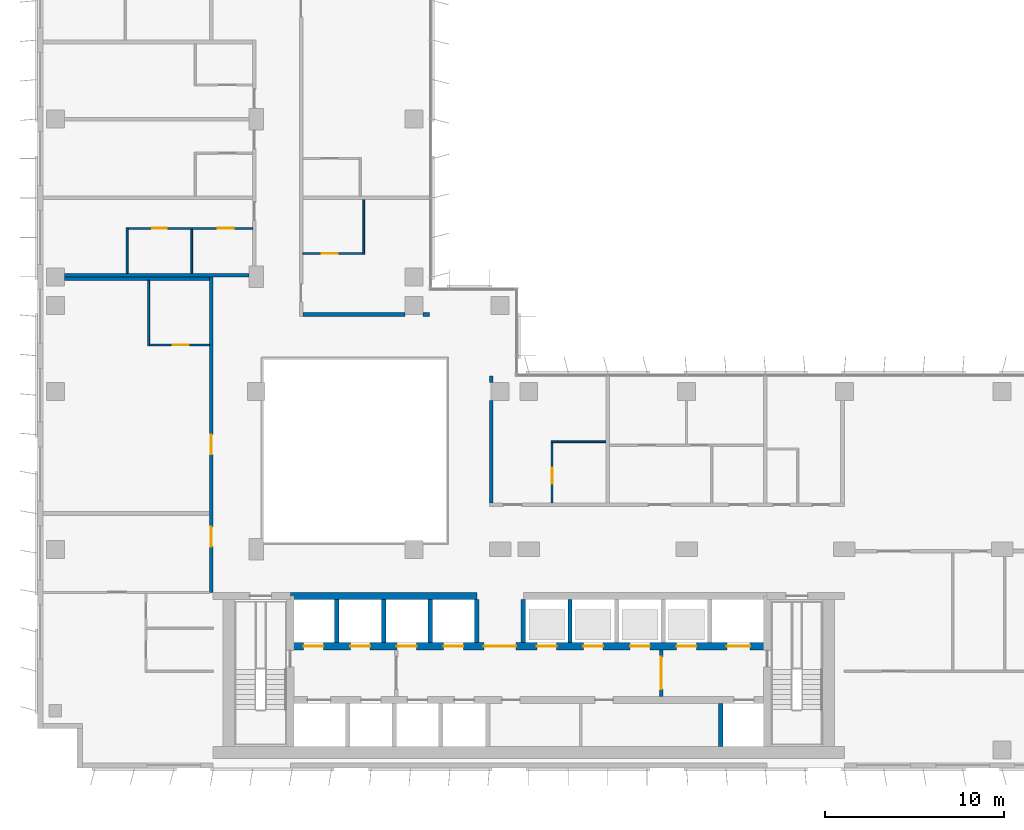
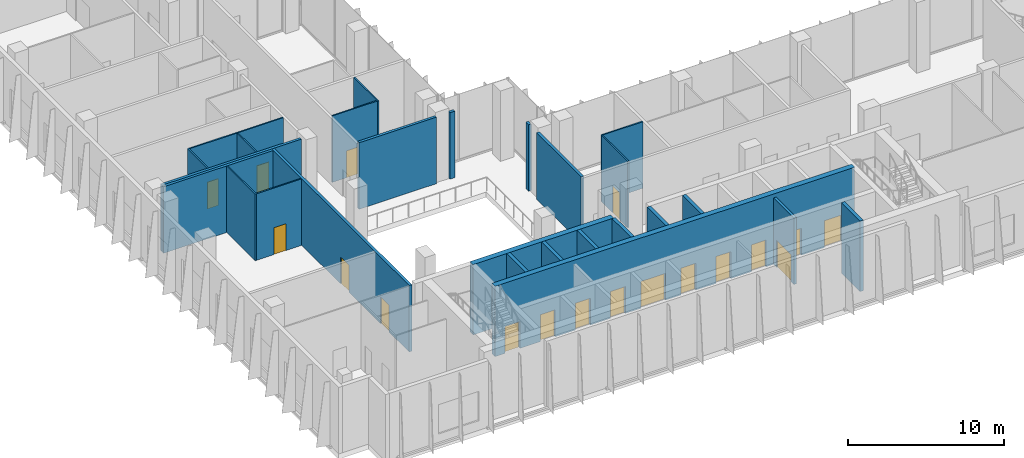
# One storey, part 14 of 24: 26 walls, 18 doors, 18 openings.
"""IFC4 building model written with IfcOpenShell, lengths in metres."""

from ifc_helpers import new_model, si_unit, direction, frame, frame_2d, origin, place, context, subcontext, project, spatial, rectangle, extrude, material, layer, layer_set, type_object, element, fill, save


model = new_model("IFC4")

# Units and contexts
model_context = context("Model", 3, precision=1e-05, world=origin(), true_north=direction((0.0, 1.0)))
body_context = subcontext(model_context, "Body", "Model", "MODEL_VIEW")
ifc_project = project(units=[si_unit("LENGTHUNIT", "METRE"), si_unit("AREAUNIT", "SQUARE_METRE"), si_unit("VOLUMEUNIT", "CUBIC_METRE"), si_unit("PLANEANGLEUNIT", "RADIAN"), si_unit("MASSUNIT", "GRAM", prefix="KILO")], contexts=[model_context])

# Site, building, storey
site_placement = place(None, origin())
site = spatial("IfcSite", under=ifc_project, at=site_placement, CompositionType="ELEMENT")
building_placement = place(site_placement, origin())
building = spatial("IfcBuilding", under=site, at=building_placement, Name="Kemantara Hotel Tower", CompositionType="ELEMENT")
storey_placement = place(building_placement, frame((0.0, 0.0, 202.5)))
storey = spatial("IfcBuildingStorey", under=building, at=storey_placement, Name="L50", CompositionType="ELEMENT", Elevation=202.5)

# Walls
ifc_material_1 = material(Name="Concrete fc 60 MPa", Category="concrete")
ifc_layer_1 = layer(ifc_material_1, 0.25)
ifc_layer_set_1 = layer_set([ifc_layer_1], Name="Concrete fc 60 MPa")
wall_type_1 = type_object("IfcWallType", Name="CORE WALL 250 FC60", PredefinedType="SHEAR", material=ifc_layer_set_1)
wall_1_placement = place(storey_placement, frame((38.10009765625, 1.199951171875, 0.0), z_axis=(0.0, 0.0, 1.0), x_axis=(0.0, 1.0, 0.0)))
element("IfcWall", 1, at=wall_1_placement, inside=storey, type_object=wall_type_1, Name="CORE WALL CW-DS38.1", PredefinedType="SHEAR", context=body_context, shape_type="SweptSolid", body=[
    extrude(rectangle(XDim=2.400146484375, YDim=0.25, at=frame_2d((1.2001953125, 0.0))), origin(), (0.0, 0.0, 1.0), 5.5),
])
for number, where, z_axis, x_axis, name in (
    (2, (16.699951171875, 7.0, 0.0), (0.0, 0.0, 1.0), (0.0, 1.0, 0.0), "CORE WALL CW-DN16.7"),
    (3, (19.300048828125, 7.0, 0.0), (0.0, 0.0, 1.0), (0.0, 1.0, 0.0), "CORE WALL CW-DN19.3"),
    (4, (21.89990234375, 7.0, 0.0), (0.0, 0.0, 1.0), (0.0, 1.0, 0.0), "CORE WALL CW-DN21.9"),
    (5, (24.5, 7.0, 0.0), (0.0, 0.0, 1.0), (0.0, 1.0, 0.0), "CORE WALL CW-DN24.5"),
    (6, (27.10009765625, 7.0, 0.0), (0.0, 0.0, 1.0), (0.0, 1.0, 0.0), "CORE WALL CW-DN27.1"),
    (7, (29.699951171875, 7.0, 0.0), (0.0, 0.0, 1.0), (0.0, 1.0, 0.0), "CORE WALL CW-DN29.7"),
):
    element("IfcWall", number, at=place(storey_placement, frame(where, z_axis=z_axis, x_axis=x_axis)), inside=storey, type_object=wall_type_1, Name=name, PredefinedType="SHEAR", context=body_context, shape_type="SweptSolid", body=[
        extrude(rectangle(XDim=2.39990234375, YDim=0.25, at=frame_2d((1.199951171875, 0.0))), origin(), (0.0, 0.0, 1.0), 5.5),
    ])
ifc_layer_2 = layer(ifc_material_1, 0.39990234375)
ifc_layer_set_2 = layer_set([ifc_layer_2], Name="Concrete fc 60 MPa")
wall_type_2 = type_object("IfcWallType", Name="CORE WALL 400 FC60", PredefinedType="SHEAR", material=ifc_layer_set_2)
wall_2_placement = place(storey_placement, frame((14.10009765625, 9.60009765625, 0.0), z_axis=(0.0, 0.0, 1.0), x_axis=(1.0, 0.0, 0.0)))
element("IfcWall", 8, at=wall_2_placement, inside=storey, type_object=wall_type_2, Name="CORE WALL CW-NN1", PredefinedType="SHEAR", context=body_context, shape_type="SweptSolid", body=[
    extrude(rectangle(XDim=10.39990234375, YDim=0.39990234375, at=frame_2d((5.199951171875, 0.0))), origin(), (0.0, 0.0, 1.0), 5.5),
])

# Wall, openings, doors
wall_3_placement = place(storey_placement, frame((14.10009765625, 6.800048828125, 0.0), z_axis=(0.0, 0.0, 1.0), x_axis=(1.0, 0.0, 0.0)))
wall_3 = element("IfcWall", 9, at=wall_3_placement, inside=storey, type_object=wall_type_2, Name="CORE WALL CW-L2", PredefinedType="SHEAR", context=body_context, shape_type="SweptSolid", body=[
    extrude(rectangle(XDim=26.599853515625, YDim=0.39990234375, at=frame_2d((13.2998046875, 0.0))), origin(), (0.0, 0.0, 1.0), 5.5),
])
opening_1_placement = place(wall_3_placement, frame((10.800048828125, 0.0, 0.0)))
opening_1 = element("IfcOpeningElement", 10, at=opening_1_placement, cuts=wall_3, Name="Opening C31-VL", PredefinedType="OPENING", context=body_context, shape_type="SweptSolid", body=[
    extrude(rectangle(XDim=1.800048828125, YDim=2.10009765625, at=frame_2d((0.89990234375, 1.050048828125))), frame((0.0, 0.2099609375, 0.0), z_axis=(0.0, -1.0, 0.0), x_axis=(1.0, 0.0, 0.0)), (0.0, 0.0, 1.0), 0.419921875),
])
opening_2_placement = place(wall_3_placement, frame((0.75, 0.0, 0.0)))
opening_2 = element("IfcOpeningElement", 11, at=opening_2_placement, cuts=wall_3, Name="Opening C31-LD-MR1", PredefinedType="OPENING", context=body_context, shape_type="SweptSolid", body=[
    extrude(rectangle(XDim=1.10009765625, YDim=2.10009765625, at=frame_2d((0.550048828125, 1.050048828125))), frame((0.0, 0.2099609375, 0.0), z_axis=(0.0, -1.0, 0.0), x_axis=(1.0, 0.0, 0.0)), (0.0, 0.0, 1.0), 0.419921875),
])
opening_3_placement = place(wall_3_placement, frame((3.35009765625, 0.0, 0.0)))
opening_3 = element("IfcOpeningElement", 12, at=opening_3_placement, cuts=wall_3, Name="Opening C31-LD-MR2", PredefinedType="OPENING", context=body_context, shape_type="SweptSolid", body=[
    extrude(rectangle(XDim=1.10009765625, YDim=2.10009765625, at=frame_2d((0.550048828125, 1.050048828125))), frame((0.0, 0.2099609375, 0.0), z_axis=(0.0, -1.0, 0.0), x_axis=(1.0, 0.0, 0.0)), (0.0, 0.0, 1.0), 0.419921875),
])
opening_4_placement = place(wall_3_placement, frame((5.949951171875, 0.0, 0.0)))
opening_4 = element("IfcOpeningElement", 13, at=opening_4_placement, cuts=wall_3, Name="Opening C31-LD-MR3", PredefinedType="OPENING", context=body_context, shape_type="SweptSolid", body=[
    extrude(rectangle(XDim=1.10009765625, YDim=2.10009765625, at=frame_2d((0.550048828125, 1.050048828125))), frame((0.0, 0.2099609375, 0.0), z_axis=(0.0, -1.0, 0.0), x_axis=(1.0, 0.0, 0.0)), (0.0, 0.0, 1.0), 0.419921875),
])
opening_5_placement = place(wall_3_placement, frame((8.550048828125, 0.0, 0.0)))
opening_5 = element("IfcOpeningElement", 14, at=opening_5_placement, cuts=wall_3, Name="Opening C31-LD-MR4", PredefinedType="OPENING", context=body_context, shape_type="SweptSolid", body=[
    extrude(rectangle(XDim=1.10009765625, YDim=2.10009765625, at=frame_2d((0.550048828125, 1.050048828125))), frame((0.0, 0.2099609375, 0.0), z_axis=(0.0, -1.0, 0.0), x_axis=(1.0, 0.0, 0.0)), (0.0, 0.0, 1.0), 0.419921875),
])
opening_6_placement = place(wall_3_placement, frame((13.75, 0.0, 0.0)))
opening_6 = element("IfcOpeningElement", 15, at=opening_6_placement, cuts=wall_3, Name="Opening C31-LD-HR1", PredefinedType="OPENING", context=body_context, shape_type="SweptSolid", body=[
    extrude(rectangle(XDim=1.10009765625, YDim=2.10009765625, at=frame_2d((0.550048828125, 1.050048828125))), frame((0.0, 0.2099609375, 0.0), z_axis=(0.0, -1.0, 0.0), x_axis=(1.0, 0.0, 0.0)), (0.0, 0.0, 1.0), 0.419921875),
])
opening_7_placement = place(wall_3_placement, frame((16.35009765625, 0.0, 0.0)))
opening_7 = element("IfcOpeningElement", 16, at=opening_7_placement, cuts=wall_3, Name="Opening C31-LD-HR2", PredefinedType="OPENING", context=body_context, shape_type="SweptSolid", body=[
    extrude(rectangle(XDim=1.10009765625, YDim=2.10009765625, at=frame_2d((0.550048828125, 1.050048828125))), frame((0.0, 0.2099609375, 0.0), z_axis=(0.0, -1.0, 0.0), x_axis=(1.0, 0.0, 0.0)), (0.0, 0.0, 1.0), 0.419921875),
])
opening_8_placement = place(wall_3_placement, frame((18.949951171875, 0.0, 0.0)))
opening_8 = element("IfcOpeningElement", 17, at=opening_8_placement, cuts=wall_3, Name="Opening C31-LD-HR3", PredefinedType="OPENING", context=body_context, shape_type="SweptSolid", body=[
    extrude(rectangle(XDim=1.10009765625, YDim=2.10009765625, at=frame_2d((0.550048828125, 1.050048828125))), frame((0.0, 0.2099609375, 0.0), z_axis=(0.0, -1.0, 0.0), x_axis=(1.0, 0.0, 0.0)), (0.0, 0.0, 1.0), 0.419921875),
])
opening_9_placement = place(wall_3_placement, frame((21.550048828125, 0.0, 0.0)))
opening_9 = element("IfcOpeningElement", 18, at=opening_9_placement, cuts=wall_3, Name="Opening C31-LD-HR4", PredefinedType="OPENING", context=body_context, shape_type="SweptSolid", body=[
    extrude(rectangle(XDim=1.10009765625, YDim=2.10009765625, at=frame_2d((0.550048828125, 1.050048828125))), frame((0.0, 0.2099609375, 0.0), z_axis=(0.0, -1.0, 0.0), x_axis=(1.0, 0.0, 0.0)), (0.0, 0.0, 1.0), 0.419921875),
])
opening_10_placement = place(wall_3_placement, frame((24.35009765625, 0.0, 0.0)))
opening_10 = element("IfcOpeningElement", 19, at=opening_10_placement, cuts=wall_3, Name="Opening C31-LD-FF2", PredefinedType="OPENING", context=body_context, shape_type="SweptSolid", body=[
    extrude(rectangle(XDim=1.300048828125, YDim=2.10009765625, at=frame_2d((0.64990234375, 1.050048828125))), frame((0.0, 0.2099609375, 0.0), z_axis=(0.0, -1.0, 0.0), x_axis=(1.0, 0.0, 0.0)), (0.0, 0.0, 1.0), 0.419921875),
])
ifc_material_2 = material(Name="Steel fire door", Category="steel")
door_type_1 = type_object("IfcDoorType", Name="Fire door pair FD60 1800 x 2100", OperationType="DOUBLE_DOOR_SINGLE_SWING", PredefinedType="DOOR", material=ifc_material_2)
door_1_placement = place(opening_1_placement, frame((1.800048828125, 0.0, 0.0), z_axis=(0.0, 0.0, 1.0), x_axis=(-1.0, 0.0, 0.0)))
door_1 = element("IfcDoor", 20, at=door_1_placement, inside=storey, type_object=door_type_1, Name="Lift lobby entry door", OperationType="DOUBLE_DOOR_SINGLE_SWING", OverallHeight=2.10009765625, OverallWidth=1.800048828125, PredefinedType="DOOR", context=body_context, shape_type="SweptSolid", body=[
    extrude(rectangle(XDim=1.800048828125, YDim=2.10009765625, at=frame_2d((0.89990234375, 1.050048828125))), frame((0.0, 0.02490234375, 0.0), z_axis=(0.0, -1.0, 0.0), x_axis=(1.0, 0.0, 0.0)), (0.0, 0.0, 1.0), 0.050048828125),
])
fill(opening_1, door_1)
ifc_material_3 = material(Name="Stainless steel lift door", Category="steel")
door_type_2 = type_object("IfcDoorType", Name="Lift landing door 1100 x 2100 FD60", OperationType="DOUBLE_DOOR_SLIDING", PredefinedType="DOOR", material=ifc_material_3)
door_2_placement = place(opening_2_placement, origin())
door_2 = element("IfcDoor", 21, at=door_2_placement, inside=storey, type_object=door_type_2, Name="Lift MR1 landing door", OperationType="DOUBLE_DOOR_SLIDING", OverallHeight=2.10009765625, OverallWidth=1.10009765625, PredefinedType="DOOR", context=body_context, shape_type="SweptSolid", body=[
    extrude(rectangle(XDim=1.10009765625, YDim=2.10009765625, at=frame_2d((0.550048828125, 1.050048828125))), frame((0.0, 0.02490234375, 0.0), z_axis=(0.0, -1.0, 0.0), x_axis=(1.0, 0.0, 0.0)), (0.0, 0.0, 1.0), 0.050048828125),
])
fill(opening_2, door_2)
door_3_placement = place(opening_3_placement, origin())
door_3 = element("IfcDoor", 22, at=door_3_placement, inside=storey, type_object=door_type_2, Name="Lift MR2 landing door", OperationType="DOUBLE_DOOR_SLIDING", OverallHeight=2.10009765625, OverallWidth=1.10009765625, PredefinedType="DOOR", context=body_context, shape_type="SweptSolid", body=[
    extrude(rectangle(XDim=1.10009765625, YDim=2.10009765625, at=frame_2d((0.550048828125, 1.050048828125))), frame((0.0, 0.02490234375, 0.0), z_axis=(0.0, -1.0, 0.0), x_axis=(1.0, 0.0, 0.0)), (0.0, 0.0, 1.0), 0.050048828125),
])
fill(opening_3, door_3)
door_4_placement = place(opening_4_placement, origin())
door_4 = element("IfcDoor", 23, at=door_4_placement, inside=storey, type_object=door_type_2, Name="Lift MR3 landing door", OperationType="DOUBLE_DOOR_SLIDING", OverallHeight=2.10009765625, OverallWidth=1.10009765625, PredefinedType="DOOR", context=body_context, shape_type="SweptSolid", body=[
    extrude(rectangle(XDim=1.10009765625, YDim=2.10009765625, at=frame_2d((0.550048828125, 1.050048828125))), frame((0.0, 0.02490234375, 0.0), z_axis=(0.0, -1.0, 0.0), x_axis=(1.0, 0.0, 0.0)), (0.0, 0.0, 1.0), 0.050048828125),
])
fill(opening_4, door_4)
door_5_placement = place(opening_5_placement, origin())
door_5 = element("IfcDoor", 24, at=door_5_placement, inside=storey, type_object=door_type_2, Name="Lift MR4 landing door", OperationType="DOUBLE_DOOR_SLIDING", OverallHeight=2.10009765625, OverallWidth=1.10009765625, PredefinedType="DOOR", context=body_context, shape_type="SweptSolid", body=[
    extrude(rectangle(XDim=1.10009765625, YDim=2.10009765625, at=frame_2d((0.550048828125, 1.050048828125))), frame((0.0, 0.02490234375, 0.0), z_axis=(0.0, -1.0, 0.0), x_axis=(1.0, 0.0, 0.0)), (0.0, 0.0, 1.0), 0.050048828125),
])
fill(opening_5, door_5)
door_6_placement = place(opening_6_placement, origin())
door_6 = element("IfcDoor", 25, at=door_6_placement, inside=storey, type_object=door_type_2, Name="Lift HR1 landing door", OperationType="DOUBLE_DOOR_SLIDING", OverallHeight=2.10009765625, OverallWidth=1.10009765625, PredefinedType="DOOR", context=body_context, shape_type="SweptSolid", body=[
    extrude(rectangle(XDim=1.10009765625, YDim=2.10009765625, at=frame_2d((0.550048828125, 1.050048828125))), frame((0.0, 0.02490234375, 0.0), z_axis=(0.0, -1.0, 0.0), x_axis=(1.0, 0.0, 0.0)), (0.0, 0.0, 1.0), 0.050048828125),
])
fill(opening_6, door_6)
door_7_placement = place(opening_7_placement, origin())
door_7 = element("IfcDoor", 26, at=door_7_placement, inside=storey, type_object=door_type_2, Name="Lift HR2 landing door", OperationType="DOUBLE_DOOR_SLIDING", OverallHeight=2.10009765625, OverallWidth=1.10009765625, PredefinedType="DOOR", context=body_context, shape_type="SweptSolid", body=[
    extrude(rectangle(XDim=1.10009765625, YDim=2.10009765625, at=frame_2d((0.550048828125, 1.050048828125))), frame((0.0, 0.02490234375, 0.0), z_axis=(0.0, -1.0, 0.0), x_axis=(1.0, 0.0, 0.0)), (0.0, 0.0, 1.0), 0.050048828125),
])
fill(opening_7, door_7)
door_8_placement = place(opening_8_placement, origin())
door_8 = element("IfcDoor", 27, at=door_8_placement, inside=storey, type_object=door_type_2, Name="Lift HR3 landing door", OperationType="DOUBLE_DOOR_SLIDING", OverallHeight=2.10009765625, OverallWidth=1.10009765625, PredefinedType="DOOR", context=body_context, shape_type="SweptSolid", body=[
    extrude(rectangle(XDim=1.10009765625, YDim=2.10009765625, at=frame_2d((0.550048828125, 1.050048828125))), frame((0.0, 0.02490234375, 0.0), z_axis=(0.0, -1.0, 0.0), x_axis=(1.0, 0.0, 0.0)), (0.0, 0.0, 1.0), 0.050048828125),
])
fill(opening_8, door_8)
door_9_placement = place(opening_9_placement, origin())
door_9 = element("IfcDoor", 28, at=door_9_placement, inside=storey, type_object=door_type_2, Name="Lift HR4 landing door", OperationType="DOUBLE_DOOR_SLIDING", OverallHeight=2.10009765625, OverallWidth=1.10009765625, PredefinedType="DOOR", context=body_context, shape_type="SweptSolid", body=[
    extrude(rectangle(XDim=1.10009765625, YDim=2.10009765625, at=frame_2d((0.550048828125, 1.050048828125))), frame((0.0, 0.02490234375, 0.0), z_axis=(0.0, -1.0, 0.0), x_axis=(1.0, 0.0, 0.0)), (0.0, 0.0, 1.0), 0.050048828125),
])
fill(opening_9, door_9)
door_type_3 = type_object("IfcDoorType", Name="Lift landing door 1300 x 2100 FD90", OperationType="DOUBLE_DOOR_SLIDING", PredefinedType="DOOR", material=ifc_material_3)
door_10_placement = place(opening_10_placement, origin())
door_10 = element("IfcDoor", 29, at=door_10_placement, inside=storey, type_object=door_type_3, Name="Lift FF2 landing door", OperationType="DOUBLE_DOOR_SLIDING", OverallHeight=2.10009765625, OverallWidth=1.300048828125, PredefinedType="DOOR", context=body_context, shape_type="SweptSolid", body=[
    extrude(rectangle(XDim=1.300048828125, YDim=2.10009765625, at=frame_2d((0.64990234375, 1.050048828125))), frame((0.0, 0.02490234375, 0.0), z_axis=(0.0, -1.0, 0.0), x_axis=(1.0, 0.0, 0.0)), (0.0, 0.0, 1.0), 0.050048828125),
])
fill(opening_10, door_10)

ifc_material_4 = material(Name="Gypsum board partition, steel studs and mineral wool, 200 mm", Category="steel")
ifc_layer_3 = layer(ifc_material_4, 0.199951171875)
ifc_layer_set_3 = layer_set([ifc_layer_3], Name="Gypsum board partition, steel studs and mineral wool, 200 mm")
wall_type_3 = type_object("IfcWallType", Name="CORRIDOR WALL 200", PredefinedType="PARTITIONING", material=ifc_layer_set_3)
wall_4_placement = place(storey_placement, frame((9.699951171875, 9.800048828125, 0.0), z_axis=(0.0, 0.0, 1.0), x_axis=(0.0, 1.0, 0.0)))
wall_4 = element("IfcWall", 30, at=wall_4_placement, inside=storey, type_object=wall_type_3, Name="CORRIDOR WALL 200 009", PredefinedType="PARTITIONING", context=body_context, shape_type="SweptSolid", body=[
    extrude(rectangle(XDim=17.599853515625, YDim=0.199951171875, at=frame_2d((8.7998046875, 0.0))), origin(), (0.0, 0.0, 1.0), 5.199951171875),
])
opening_11_placement = place(wall_4_placement, frame((2.550048828125, 0.0, 0.0)))
opening_11 = element("IfcOpeningElement", 31, at=opening_11_placement, cuts=wall_4, Name="Opening F24-013", PredefinedType="OPENING", context=body_context, shape_type="SweptSolid", body=[
    extrude(rectangle(XDim=1.10009765625, YDim=2.10009765625, at=frame_2d((0.550048828125, 1.050048828125))), frame((0.0, 0.10986328125, 0.0), z_axis=(0.0, -1.0, 0.0), x_axis=(1.0, 0.0, 0.0)), (0.0, 0.0, 1.0), 0.219970703125),
])
opening_12_placement = place(wall_4_placement, frame((7.699951171875, 0.0, 0.0)))
opening_12 = element("IfcOpeningElement", 32, at=opening_12_placement, cuts=wall_4, Name="Opening F24-017", PredefinedType="OPENING", context=body_context, shape_type="SweptSolid", body=[
    extrude(rectangle(XDim=1.10009765625, YDim=2.10009765625, at=frame_2d((0.550048828125, 1.050048828125))), frame((0.0, 0.10986328125, 0.0), z_axis=(0.0, -1.0, 0.0), x_axis=(1.0, 0.0, 0.0)), (0.0, 0.0, 1.0), 0.219970703125),
])
ifc_material_5 = material(Name="Hardwood veneer door leaf with steel frame", Category="steel")
door_type_4 = type_object("IfcDoorType", Name="SUITE ENTRANCE DOOR 1100 X 2100 FD30S", OperationType="NOTDEFINED", PredefinedType="DOOR", material=ifc_material_5)
door_11_placement = place(opening_11_placement, origin())
door_11 = element("IfcDoor", 33, at=door_11_placement, inside=storey, type_object=door_type_4, Name="SUITE ENTRANCE DOOR F24-013", OperationType="SINGLE_SWING_RIGHT", OverallHeight=2.10009765625, OverallWidth=1.10009765625, PredefinedType="DOOR", context=body_context, shape_type="SweptSolid", body=[
    extrude(rectangle(XDim=1.10009765625, YDim=2.10009765625, at=frame_2d((0.550048828125, 1.050048828125))), frame((0.0, 0.02490234375, 0.0), z_axis=(0.0, -1.0, 0.0), x_axis=(1.0, 0.0, 0.0)), (0.0, 0.0, 1.0), 0.050048828125),
])
fill(opening_11, door_11)
door_12_placement = place(opening_12_placement, origin())
door_12 = element("IfcDoor", 34, at=door_12_placement, inside=storey, type_object=door_type_4, Name="SUITE ENTRANCE DOOR F24-017", OperationType="SINGLE_SWING_LEFT", OverallHeight=2.10009765625, OverallWidth=1.10009765625, PredefinedType="DOOR", context=body_context, shape_type="SweptSolid", body=[
    extrude(rectangle(XDim=1.10009765625, YDim=2.10009765625, at=frame_2d((0.550048828125, 1.050048828125))), frame((0.0, 0.02490234375, 0.0), z_axis=(0.0, -1.0, 0.0), x_axis=(1.0, 0.0, 0.0)), (0.0, 0.0, 1.0), 0.050048828125),
])
fill(opening_12, door_12)

# Walls
ifc_layer_4 = layer(ifc_material_4, 0.199951171875)
ifc_layer_set_4 = layer_set([ifc_layer_4], Name="Gypsum board partition, steel studs and mineral wool, 200 mm")
wall_type_4 = type_object("IfcWallType", Name="GUEST ROOM PARTY WALL 200", PredefinedType="PARTITIONING", material=ifc_layer_set_4)
wall_5_placement = place(storey_placement, frame((25.300048828125, 14.800048828125, 0.0), z_axis=(0.0, 0.0, 1.0), x_axis=(0.0, 1.0, 0.0)))
element("IfcWall", 35, at=wall_5_placement, inside=storey, type_object=wall_type_4, Name="GUEST ROOM PARTY WALL 200 004", PredefinedType="PARTITIONING", context=body_context, shape_type="SweptSolid", body=[
    extrude(rectangle(XDim=5.699951171875, YDim=0.199951171875, at=frame_2d((2.85009765625, 0.0))), origin(), (0.0, 0.0, 1.0), 5.199951171875),
])
wall_6_placement = place(storey_placement, frame((25.300048828125, 21.5, 0.0), z_axis=(0.0, 0.0, 1.0), x_axis=(0.0, 1.0, 0.0)))
element("IfcWall", 36, at=wall_6_placement, inside=storey, type_object=wall_type_4, Name="GUEST ROOM PARTY WALL 200 005", PredefinedType="PARTITIONING", context=body_context, shape_type="SweptSolid", body=[
    extrude(rectangle(XDim=0.3701171875, YDim=0.199951171875, at=frame_2d((0.18505859375, 0.0))), origin(), (0.0, 0.0, 1.0), 5.199951171875),
])
wall_7_placement = place(storey_placement, frame((1.5, 27.300048828125, 0.0), z_axis=(0.0, 0.0, 1.0), x_axis=(1.0, 0.0, 0.0)))
element("IfcWall", 37, at=wall_7_placement, inside=storey, type_object=wall_type_4, Name="GUEST ROOM PARTY WALL 200 013", PredefinedType="PARTITIONING", context=body_context, shape_type="SweptSolid", body=[
    extrude(rectangle(XDim=8.10009765625, YDim=0.199951171875, at=frame_2d((4.050048828125, 0.0))), origin(), (0.0, 0.0, 1.0), 5.199951171875),
])
wall_8_placement = place(storey_placement, frame((1.5, 27.5, 0.0), z_axis=(0.0, 0.0, 1.0), x_axis=(1.0, 0.0, 0.0)))
element("IfcWall", 38, at=wall_8_placement, inside=storey, type_object=wall_type_4, Name="GUEST ROOM PARTY WALL 200 016", PredefinedType="PARTITIONING", context=body_context, shape_type="SweptSolid", body=[
    extrude(rectangle(XDim=10.2998046875, YDim=0.199951171875, at=frame_2d((5.14990234375, 0.0))), origin(), (0.0, 0.0, 1.0), 5.199951171875),
])
wall_9_placement = place(storey_placement, frame((14.800048828125, 25.300048828125, 0.0), z_axis=(0.0, 0.0, 1.0), x_axis=(1.0, 0.0, 0.0)))
element("IfcWall", 39, at=wall_9_placement, inside=storey, type_object=wall_type_4, Name="GUEST ROOM PARTY WALL 200 022", PredefinedType="PARTITIONING", context=body_context, shape_type="SweptSolid", body=[
    extrude(rectangle(XDim=5.699951171875, YDim=0.199951171875, at=frame_2d((2.85009765625, 0.0))), origin(), (0.0, 0.0, 1.0), 5.199951171875),
])
wall_10_placement = place(storey_placement, frame((21.5, 25.300048828125, 0.0), z_axis=(0.0, 0.0, 1.0), x_axis=(1.0, 0.0, 0.0)))
element("IfcWall", 40, at=wall_10_placement, inside=storey, type_object=wall_type_4, Name="GUEST ROOM PARTY WALL 200 023", PredefinedType="PARTITIONING", context=body_context, shape_type="SweptSolid", body=[
    extrude(rectangle(XDim=0.3701171875, YDim=0.199951171875, at=frame_2d((0.18505859375, 0.0))), origin(), (0.0, 0.0, 1.0), 5.199951171875),
])

# Wall, opening, door
ifc_material_6 = material(Name="Gypsum board shaft wall")
ifc_layer_5 = layer(ifc_material_6, 0.199951171875)
ifc_layer_set_5 = layer_set([ifc_layer_5], Name="Gypsum board shaft wall")
wall_type_5 = type_object("IfcWallType", Name="Gypsum board shaft wall 200 mm", PredefinedType="PARTITIONING", material=ifc_layer_set_5)
wall_11_placement = place(storey_placement, frame((34.800048828125, 4.0, 0.0), z_axis=(0.0, 0.0, 1.0), x_axis=(0.0, 1.0, 0.0)))
wall_11 = element("IfcWall", 41, at=wall_11_placement, inside=storey, type_object=wall_type_5, Name="Firefighting lobby partition east", PredefinedType="PARTITIONING", context=body_context, shape_type="SweptSolid", body=[
    extrude(rectangle(XDim=2.60009765625, YDim=0.199951171875, at=frame_2d((1.300048828125, 0.0))), origin(), (0.0, 0.0, 1.0), 5.199951171875),
])
opening_13_placement = place(wall_11_placement, frame((0.39990234375, 0.0, 0.0)))
opening_13 = element("IfcOpeningElement", 42, at=opening_13_placement, cuts=wall_11, Name="Opening C31-FFE", PredefinedType="OPENING", context=body_context, shape_type="SweptSolid", body=[
    extrude(rectangle(XDim=1.800048828125, YDim=2.10009765625, at=frame_2d((0.89990234375, 1.050048828125))), frame((0.0, 0.10986328125, 0.0), z_axis=(0.0, -1.0, 0.0), x_axis=(1.0, 0.0, 0.0)), (0.0, 0.0, 1.0), 0.219970703125),
])
door_13_placement = place(opening_13_placement, frame((1.800048828125, 0.0, 0.0), z_axis=(0.0, 0.0, 1.0), x_axis=(-1.0, 0.0, 0.0)))
door_13 = element("IfcDoor", 43, at=door_13_placement, inside=storey, type_object=door_type_1, Name="Firefighting lobby door east", OperationType="DOUBLE_DOOR_SINGLE_SWING", OverallHeight=2.10009765625, OverallWidth=1.800048828125, PredefinedType="DOOR", context=body_context, shape_type="SweptSolid", body=[
    extrude(rectangle(XDim=1.800048828125, YDim=2.10009765625, at=frame_2d((0.89990234375, 1.050048828125))), frame((0.0, 0.02490234375, 0.0), z_axis=(0.0, -1.0, 0.0), x_axis=(1.0, 0.0, 0.0)), (0.0, 0.0, 1.0), 0.050048828125),
])
fill(opening_13, door_13)

# Wall
ifc_material_7 = material(Name="Gypsum board partition on steel studs, 100 mm", Category="steel")
ifc_layer_6 = layer(ifc_material_7, 0.10009765625)
ifc_layer_set_6 = layer_set([ifc_layer_6], Name="Gypsum board partition on steel studs, 100 mm")
wall_type_6 = type_object("IfcWallType", Name="ROOM PARTITION 100", PredefinedType="PARTITIONING", material=ifc_layer_set_6)
wall_12_placement = place(storey_placement, frame((28.64990234375, 18.199951171875, 0.0), z_axis=(0.0, 0.0, 1.0), x_axis=(1.0, 0.0, 0.0)))
element("IfcWall", 44, at=wall_12_placement, inside=storey, type_object=wall_type_6, Name="ROOM PARTITION 100 029", PredefinedType="PARTITIONING", context=body_context, shape_type="SweptSolid", body=[
    extrude(rectangle(XDim=3.050048828125, YDim=0.10009765625, at=frame_2d((1.52490234375, 0.0))), origin(), (0.0, 0.0, 1.0), 5.199951171875),
])

# Wall, opening, door
wall_13_placement = place(storey_placement, frame((28.699951171875, 18.14990234375, 0.0), z_axis=(0.0, 0.0, 1.0), x_axis=(0.0, -1.0, 0.0)))
wall_13 = element("IfcWall", 45, at=wall_13_placement, inside=storey, type_object=wall_type_6, Name="ROOM PARTITION 100 030", PredefinedType="PARTITIONING", context=body_context, shape_type="SweptSolid", body=[
    extrude(rectangle(XDim=3.349853515625, YDim=0.10009765625, at=frame_2d((1.6748046875, 0.0))), origin(), (0.0, 0.0, 1.0), 5.199951171875),
])
opening_14_placement = place(wall_13_placement, frame((1.39990234375, 0.0, 0.0)))
opening_14 = element("IfcOpeningElement", 46, at=opening_14_placement, cuts=wall_13, Name="Opening F24-006", PredefinedType="OPENING", context=body_context, shape_type="SweptSolid", body=[
    extrude(rectangle(XDim=0.89990234375, YDim=2.10009765625, at=frame_2d((0.449951171875, 1.050048828125))), frame((0.0, 0.06005859375, 0.0), z_axis=(0.0, -1.0, 0.0), x_axis=(1.0, 0.0, 0.0)), (0.0, 0.0, 1.0), 0.1201171875),
])
door_type_5 = type_object("IfcDoorType", Name="BATHROOM DOOR 900 X 2100", OperationType="NOTDEFINED", PredefinedType="DOOR", material=ifc_material_5)
door_14_placement = place(opening_14_placement, origin())
door_14 = element("IfcDoor", 47, at=door_14_placement, inside=storey, type_object=door_type_5, Name="BATHROOM DOOR F24-006", OperationType="SINGLE_SWING_RIGHT", OverallHeight=2.10009765625, OverallWidth=0.89990234375, PredefinedType="DOOR", context=body_context, shape_type="SweptSolid", body=[
    extrude(rectangle(XDim=0.89990234375, YDim=2.10009765625, at=frame_2d((0.449951171875, 1.050048828125))), frame((0.0, 0.02490234375, 0.0), z_axis=(0.0, -1.0, 0.0), x_axis=(1.0, 0.0, 0.0)), (0.0, 0.0, 1.0), 0.050048828125),
])
fill(opening_14, door_14)

# Wall
wall_14_placement = place(storey_placement, frame((6.199951171875, 23.550048828125, 0.0), z_axis=(0.0, 0.0, 1.0), x_axis=(0.0, 1.0, 0.0)))
element("IfcWall", 48, at=wall_14_placement, inside=storey, type_object=wall_type_6, Name="ROOM PARTITION 100 039", PredefinedType="PARTITIONING", context=body_context, shape_type="SweptSolid", body=[
    extrude(rectangle(XDim=3.64990234375, YDim=0.10009765625, at=frame_2d((1.824951171875, 0.0))), origin(), (0.0, 0.0, 1.0), 5.199951171875),
])

# Wall, opening, door
wall_15_placement = place(storey_placement, frame((6.25, 23.60009765625, 0.0), z_axis=(0.0, 0.0, 1.0), x_axis=(1.0, 0.0, 0.0)))
wall_15 = element("IfcWall", 49, at=wall_15_placement, inside=storey, type_object=wall_type_6, Name="ROOM PARTITION 100 040", PredefinedType="PARTITIONING", context=body_context, shape_type="SweptSolid", body=[
    extrude(rectangle(XDim=3.35009765625, YDim=0.10009765625, at=frame_2d((1.675048828125, 0.0))), origin(), (0.0, 0.0, 1.0), 5.199951171875),
])
opening_15_placement = place(wall_15_placement, frame((1.300048828125, 0.0, 0.0)))
opening_15 = element("IfcOpeningElement", 50, at=opening_15_placement, cuts=wall_15, Name="Opening F24-018", PredefinedType="OPENING", context=body_context, shape_type="SweptSolid", body=[
    extrude(rectangle(XDim=0.89990234375, YDim=2.10009765625, at=frame_2d((0.449951171875, 1.050048828125))), frame((0.0, 0.06005859375, 0.0), z_axis=(0.0, -1.0, 0.0), x_axis=(1.0, 0.0, 0.0)), (0.0, 0.0, 1.0), 0.1201171875),
])
door_15_placement = place(opening_15_placement, origin())
door_15 = element("IfcDoor", 51, at=door_15_placement, inside=storey, type_object=door_type_5, Name="BATHROOM DOOR F24-018", OperationType="SINGLE_SWING_RIGHT", OverallHeight=2.10009765625, OverallWidth=0.89990234375, PredefinedType="DOOR", context=body_context, shape_type="SweptSolid", body=[
    extrude(rectangle(XDim=0.89990234375, YDim=2.10009765625, at=frame_2d((0.449951171875, 1.050048828125))), frame((0.0, 0.02490234375, 0.0), z_axis=(0.0, -1.0, 0.0), x_axis=(1.0, 0.0, 0.0)), (0.0, 0.0, 1.0), 0.050048828125),
])
fill(opening_15, door_15)

# Walls
wall_16_placement = place(storey_placement, frame((5.0, 27.60009765625, 0.0), z_axis=(0.0, 0.0, 1.0), x_axis=(0.0, 1.0, 0.0)))
element("IfcWall", 52, at=wall_16_placement, inside=storey, type_object=wall_type_6, Name="ROOM PARTITION 100 041", PredefinedType="PARTITIONING", context=body_context, shape_type="SweptSolid", body=[
    extrude(rectangle(XDim=2.5498046875, YDim=0.10009765625, at=frame_2d((1.27490234375, 0.0))), origin(), (0.0, 0.0, 1.0), 5.199951171875),
])
wall_17_placement = place(storey_placement, frame((8.60009765625, 27.60009765625, 0.0), z_axis=(0.0, 0.0, 1.0), x_axis=(0.0, 1.0, 0.0)))
element("IfcWall", 53, at=wall_17_placement, inside=storey, type_object=wall_type_6, Name="ROOM PARTITION 100 042", PredefinedType="PARTITIONING", context=body_context, shape_type="SweptSolid", body=[
    extrude(rectangle(XDim=2.449951171875, YDim=0.10009765625, at=frame_2d((1.22509765625, 0.0))), origin(), (0.0, 0.0, 1.0), 5.199951171875),
])

# Wall, openings, doors
wall_18_placement = place(storey_placement, frame((12.0, 30.10009765625, 0.0), z_axis=(0.0, 0.0, 1.0), x_axis=(-1.0, 0.0, 0.0)))
wall_18 = element("IfcWall", 54, at=wall_18_placement, inside=storey, type_object=wall_type_6, Name="ROOM PARTITION 100 043", PredefinedType="PARTITIONING", context=body_context, shape_type="SweptSolid", body=[
    extrude(rectangle(XDim=6.949951171875, YDim=0.10009765625, at=frame_2d((3.47509765625, 0.0))), origin(), (0.0, 0.0, 1.0), 5.199951171875),
])
opening_16_placement = place(wall_18_placement, frame((1.050048828125, 0.0, 0.0)))
opening_16 = element("IfcOpeningElement", 55, at=opening_16_placement, cuts=wall_18, Name="Opening F24-020", PredefinedType="OPENING", context=body_context, shape_type="SweptSolid", body=[
    extrude(rectangle(XDim=0.89990234375, YDim=2.10009765625, at=frame_2d((0.449951171875, 1.050048828125))), frame((0.0, 0.06005859375, 0.0), z_axis=(0.0, -1.0, 0.0), x_axis=(1.0, 0.0, 0.0)), (0.0, 0.0, 1.0), 0.1201171875),
])
opening_17_placement = place(wall_18_placement, frame((4.800048828125, 0.0, 0.0)))
opening_17 = element("IfcOpeningElement", 56, at=opening_17_placement, cuts=wall_18, Name="Opening F24-021", PredefinedType="OPENING", context=body_context, shape_type="SweptSolid", body=[
    extrude(rectangle(XDim=0.800048828125, YDim=2.10009765625, at=frame_2d((0.39990234375, 1.050048828125))), frame((0.0, 0.06005859375, 0.0), z_axis=(0.0, -1.0, 0.0), x_axis=(1.0, 0.0, 0.0)), (0.0, 0.0, 1.0), 0.1201171875),
])
door_16_placement = place(opening_16_placement, origin())
door_16 = element("IfcDoor", 57, at=door_16_placement, inside=storey, type_object=door_type_5, Name="BATHROOM DOOR F24-020", OperationType="SINGLE_SWING_LEFT", OverallHeight=2.10009765625, OverallWidth=0.89990234375, PredefinedType="DOOR", context=body_context, shape_type="SweptSolid", body=[
    extrude(rectangle(XDim=0.89990234375, YDim=2.10009765625, at=frame_2d((0.449951171875, 1.050048828125))), frame((0.0, 0.02490234375, 0.0), z_axis=(0.0, -1.0, 0.0), x_axis=(1.0, 0.0, 0.0)), (0.0, 0.0, 1.0), 0.050048828125),
])
fill(opening_16, door_16)
door_type_6 = type_object("IfcDoorType", Name="INTERNAL DOOR 800 X 2100", OperationType="NOTDEFINED", PredefinedType="DOOR", material=ifc_material_5)
door_17_placement = place(opening_17_placement, origin())
door_17 = element("IfcDoor", 58, at=door_17_placement, inside=storey, type_object=door_type_6, Name="INTERNAL DOOR F24-021", OperationType="SINGLE_SWING_LEFT", OverallHeight=2.10009765625, OverallWidth=0.800048828125, PredefinedType="DOOR", context=body_context, shape_type="SweptSolid", body=[
    extrude(rectangle(XDim=0.800048828125, YDim=2.10009765625, at=frame_2d((0.39990234375, 1.050048828125))), frame((0.0, 0.02490234375, 0.0), z_axis=(0.0, -1.0, 0.0), x_axis=(1.0, 0.0, 0.0)), (0.0, 0.0, 1.0), 0.050048828125),
])
fill(opening_17, door_17)

# Wall
wall_19_placement = place(storey_placement, frame((18.199951171875, 28.64990234375, 0.0), z_axis=(0.0, 0.0, 1.0), x_axis=(0.0, 1.0, 0.0)))
element("IfcWall", 59, at=wall_19_placement, inside=storey, type_object=wall_type_6, Name="ROOM PARTITION 100 048", PredefinedType="PARTITIONING", context=body_context, shape_type="SweptSolid", body=[
    extrude(rectangle(XDim=3.050048828125, YDim=0.10009765625, at=frame_2d((1.52490234375, 0.0))), origin(), (0.0, 0.0, 1.0), 5.199951171875),
])

# Wall, opening, door
wall_20_placement = place(storey_placement, frame((14.800048828125, 28.699951171875, 0.0), z_axis=(0.0, 0.0, 1.0), x_axis=(1.0, 0.0, 0.0)))
wall_20 = element("IfcWall", 60, at=wall_20_placement, inside=storey, type_object=wall_type_6, Name="ROOM PARTITION 100 049", PredefinedType="PARTITIONING", context=body_context, shape_type="SweptSolid", body=[
    extrude(rectangle(XDim=3.349853515625, YDim=0.10009765625, at=frame_2d((1.6748046875, 0.0))), origin(), (0.0, 0.0, 1.0), 5.199951171875),
])
opening_18_placement = place(wall_20_placement, frame((1.050048828125, 0.0, 0.0)))
opening_18 = element("IfcOpeningElement", 61, at=opening_18_placement, cuts=wall_20, Name="Opening F24-027", PredefinedType="OPENING", context=body_context, shape_type="SweptSolid", body=[
    extrude(rectangle(XDim=0.89990234375, YDim=2.10009765625, at=frame_2d((0.449951171875, 1.050048828125))), frame((0.0, 0.06005859375, 0.0), z_axis=(0.0, -1.0, 0.0), x_axis=(1.0, 0.0, 0.0)), (0.0, 0.0, 1.0), 0.1201171875),
])
door_18_placement = place(opening_18_placement, origin())
door_18 = element("IfcDoor", 62, at=door_18_placement, inside=storey, type_object=door_type_5, Name="BATHROOM DOOR F24-027", OperationType="SINGLE_SWING_LEFT", OverallHeight=2.10009765625, OverallWidth=0.89990234375, PredefinedType="DOOR", context=body_context, shape_type="SweptSolid", body=[
    extrude(rectangle(XDim=0.89990234375, YDim=2.10009765625, at=frame_2d((0.449951171875, 1.050048828125))), frame((0.0, 0.02490234375, 0.0), z_axis=(0.0, -1.0, 0.0), x_axis=(1.0, 0.0, 0.0)), (0.0, 0.0, 1.0), 0.050048828125),
])
fill(opening_18, door_18)

save(model, "model.ifc")
